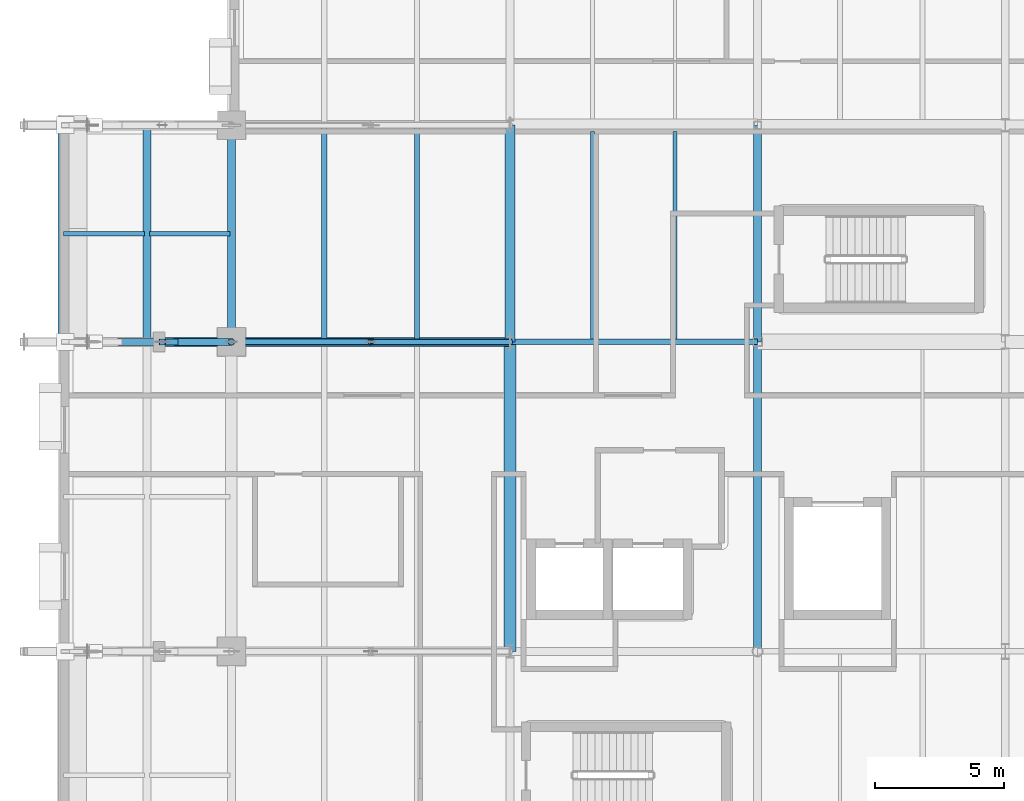
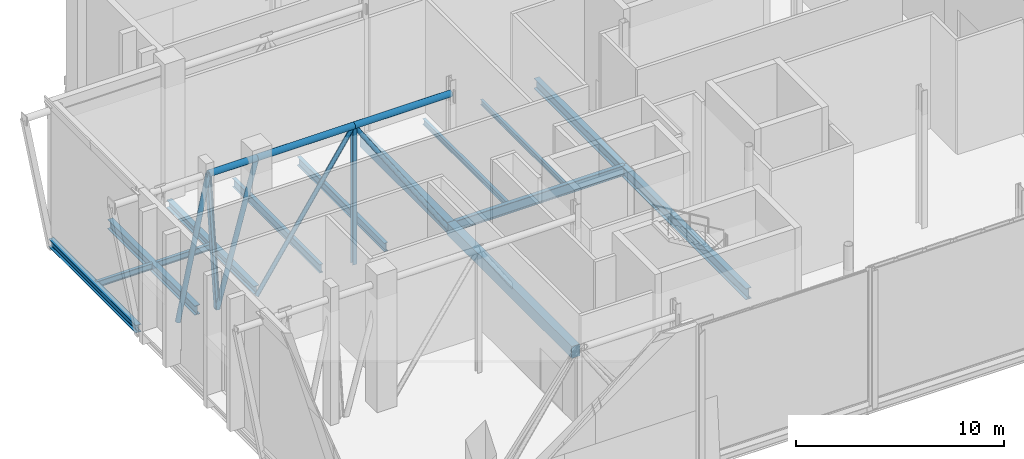
# One storey, part 20 of 79: 14 beams, 9 members.
"""IFC4 building model written with IfcOpenShell, lengths in metres."""

from ifc_helpers import new_model, si_unit, direction, frame, origin, origin_2d, place, context, subcontext, project, spatial, rectangle, hollow_circle, i_section, extrude, material, material_profile, profile_set, type_object, element, save


model = new_model("IFC4")

# Units and contexts
model_context = context("Model", 3, precision=1e-05, world=origin(), true_north=direction((0.0, 1.0)))
body_context = subcontext(model_context, "Body", "Model", "MODEL_VIEW")
ifc_project = project(units=[si_unit("LENGTHUNIT", "METRE"), si_unit("AREAUNIT", "SQUARE_METRE"), si_unit("VOLUMEUNIT", "CUBIC_METRE"), si_unit("PLANEANGLEUNIT", "RADIAN"), si_unit("MASSUNIT", "GRAM", prefix="KILO")], contexts=[model_context])

# Site, building, storey
site_placement = place(None, origin())
site = spatial("IfcSite", under=ifc_project, at=site_placement, CompositionType="ELEMENT")
building_placement = place(site_placement, origin())
building = spatial("IfcBuilding", under=site, at=building_placement, Name="Zereglee Splitstone Museum", CompositionType="ELEMENT")
storey_placement = place(building_placement, frame((0.0, 0.0, 9.0)))
storey = spatial("IfcBuildingStorey", under=building, at=storey_placement, Name="L02", CompositionType="ELEMENT", Elevation=9.0)

# Beams
ifc_material_1 = material(Name="Concrete C40/50", Category="concrete")
ifc_material_profile_1 = material_profile(ifc_material_1, rectangle(XDim=0.39990234375, YDim=0.64990234375, at=origin_2d()), Name="RC 400x650")
ifc_profile_set_1 = profile_set([ifc_material_profile_1], Name="Concrete C40/50")
beam_type_1 = type_object("IfcBeamType", Name="BG-04", PredefinedType="BEAM", material=ifc_profile_set_1)
beam_1_placement = place(storey_placement, frame((20.39990234375, 21.60009765625, -0.64501953125), z_axis=(0.0, 1.0, 0.0), x_axis=(-1.0, 0.0, 0.0)))
element("IfcBeam", 1, at=beam_1_placement, inside=storey, type_object=beam_type_1, Name="Primary Girder L02 4 (21.6-30.0)", PredefinedType="BEAM", context=body_context, shape_type="SweptSolid", body=[
    extrude(rectangle(XDim=0.39990234375, YDim=0.64990234375, at=origin_2d()), origin(), (0.0, 0.0, 1.0), 8.39990234375),
])
ifc_material_profile_2 = material_profile(ifc_material_1, rectangle(XDim=0.449951171875, YDim=0.699951171875, at=origin_2d()), Name="RC 450x700")
ifc_profile_set_2 = profile_set([ifc_material_profile_2], Name="Concrete C40/50")
beam_type_2 = type_object("IfcBeamType", Name="BG-03", PredefinedType="BEAM", material=ifc_profile_set_2)
beam_2_placement = place(storey_placement, frame((20.39990234375, 9.60009765625, -0.669921875), z_axis=(0.0, 1.0, 0.0), x_axis=(-1.0, 0.0, 0.0)))
element("IfcBeam", 2, at=beam_2_placement, inside=storey, type_object=beam_type_2, Name="Primary Girder L02 4 (9.6-21.6)", PredefinedType="BEAM", context=body_context, shape_type="SweptSolid", body=[
    extrude(rectangle(XDim=0.449951171875, YDim=0.699951171875, at=origin_2d()), origin(), (0.0, 0.0, 1.0), 12.0),
])

# Members
ifc_material_2 = material(Name="Steel S355J2H", Category="steel")
ifc_material_profile_3 = material_profile(ifc_material_2, hollow_circle(Radius=0.122314453125, WallThickness=0.012451171875, at=origin_2d()), Name="CHS 244.5x12.5")
ifc_profile_set_3 = profile_set([ifc_material_profile_3], Name="Steel S355J2H")
member_type_1 = type_object("IfcMemberType", Name="TB-02", PredefinedType="BRACE", material=ifc_profile_set_3)
for number, where, z_axis, x_axis, name in (
    (3, (9.60009765625, 21.60009765625, -0.89990234375), (0.554700196225, 0.0, 0.832050294338), (0.0, 1.0, 0.0), "Cantilever Truss CT-03 Web Brace L02-4"),
    (4, (20.39990234375, 21.60009765625, -0.89990234375), (-0.554700196225, 0.0, 0.832050294338), (0.0, -1.0, 0.0), "Cantilever Truss CT-03 Web Brace L02-5"),
):
    element("IfcMember", number, at=place(storey_placement, frame(where, z_axis=z_axis, x_axis=x_axis)), inside=storey, type_object=member_type_1, Name=name, PredefinedType="BRACE", context=body_context, shape_type="SweptSolid", body=[
        extrude(hollow_circle(Radius=0.122314453125, WallThickness=0.012451171875, at=origin_2d()), origin(), (0.0, 0.0, 1.0), 9.73486328125),
    ])
ifc_material_profile_4 = material_profile(ifc_material_2, hollow_circle(Radius=0.136474609375, WallThickness=0.012451171875, at=origin_2d()), Name="CHS 273.0x12.5")
ifc_profile_set_4 = profile_set([ifc_material_profile_4], Name="Steel S355J2H")
member_type_2 = type_object("IfcMemberType", Name="TB-01", PredefinedType="BRACE", material=ifc_profile_set_4)
member_1_placement = place(storey_placement, frame((5.2333984375, 21.60009765625, -0.89990234375), z_axis=(0.203476950416, 0.0, 0.979079736615), x_axis=(0.0, 1.0, 0.0)))
element("IfcMember", 5, at=member_1_placement, inside=storey, type_object=member_type_2, Name="Cantilever Truss CT-03 Web Brace L02-2", PredefinedType="BRACE", context=body_context, shape_type="SweptSolid", body=[
    extrude(hollow_circle(Radius=0.136474609375, WallThickness=0.012451171875, at=origin_2d()), origin(), (0.0, 0.0, 1.0), 8.27294921875),
])
member_2_placement = place(storey_placement, frame((7.416748046875, 21.60009765625, -0.89990234375), z_axis=(0.260264648301, 0.0, 0.965537318204), x_axis=(0.0, 1.0, 0.0)))
element("IfcMember", 6, at=member_2_placement, inside=storey, type_object=member_type_2, Name="Cantilever Truss CT-03 Web Brace L02-3", PredefinedType="BRACE", context=body_context, shape_type="SweptSolid", body=[
    extrude(hollow_circle(Radius=0.136474609375, WallThickness=0.012451171875, at=origin_2d()), origin(), (0.0, 0.0, 1.0), 8.388916015625),
])
ifc_material_profile_5 = material_profile(ifc_material_2, hollow_circle(Radius=0.177734375, WallThickness=0.01611328125, at=origin_2d()), Name="CHS 355.6x16")
ifc_profile_set_5 = profile_set([ifc_material_profile_5], Name="Steel S355J2H")
member_type_3 = type_object("IfcMemberType", Name="TC-04", PredefinedType="CHORD", material=ifc_profile_set_5)
member_3_placement = place(storey_placement, frame((6.916748046875, 21.60009765625, 7.199951171875), z_axis=(1.0, 0.0, 0.0), x_axis=(0.0, 1.0, 0.0)))
element("IfcMember", 7, at=member_3_placement, inside=storey, type_object=member_type_3, Name="Cantilever Truss CT-03 Top Chord L02-3", PredefinedType="CHORD", context=body_context, shape_type="SweptSolid", body=[
    extrude(hollow_circle(Radius=0.177734375, WallThickness=0.01611328125, at=origin_2d()), origin(), (0.0, 0.0, 1.0), 2.683349609375),
])
for number, where, z_axis, x_axis, name in (
    (8, (9.60009765625, 21.60009765625, 7.199951171875), (1.0, 0.0, 0.0), (0.0, 1.0, 0.0), "Cantilever Truss CT-03 Top Chord L02-4"),
    (9, (15.0, 21.60009765625, 7.199951171875), (1.0, 0.0, 0.0), (0.0, 1.0, 0.0), "Cantilever Truss CT-03 Top Chord L02-5"),
):
    element("IfcMember", number, at=place(storey_placement, frame(where, z_axis=z_axis, x_axis=x_axis)), inside=storey, type_object=member_type_3, Name=name, PredefinedType="CHORD", context=body_context, shape_type="SweptSolid", body=[
        extrude(hollow_circle(Radius=0.177734375, WallThickness=0.01611328125, at=origin_2d()), origin(), (0.0, 0.0, 1.0), 5.39990234375),
    ])

# Beams
ifc_material_3 = material(Name="Steel S355J2", Category="steel")
ifc_material_profile_6 = material_profile(ifc_material_3, i_section(OverallWidth=0.300048828125, OverallDepth=0.550048828125, WebThickness=0.014892578125, FlangeThickness=0.029052734375, FilletRadius=0.027099609375, at=origin_2d()), Name="HE 550 B")
ifc_profile_set_6 = profile_set([ifc_material_profile_6], Name="Steel S355J2")
beam_type_3 = type_object("IfcBeamType", Name="BG-11", PredefinedType="BEAM", material=ifc_profile_set_6)
beam_3_placement = place(storey_placement, frame((6.324951171875, 21.60009765625, -0.594970703125), z_axis=(0.0, 1.0, 0.0), x_axis=(-1.0, 0.0, 0.0)))
element("IfcBeam", 10, at=beam_3_placement, inside=storey, type_object=beam_type_3, Name="Cantilever Transverse Girder L02 X=6.33", PredefinedType="BEAM", context=body_context, shape_type="SweptSolid", body=[
    extrude(i_section(OverallWidth=0.300048828125, OverallDepth=0.550048828125, WebThickness=0.014892578125, FlangeThickness=0.029052734375, FilletRadius=0.027099609375, at=origin_2d()), origin(), (0.0, 0.0, 1.0), 8.39990234375),
])
ifc_material_profile_7 = material_profile(ifc_material_3, i_section(OverallWidth=0.300048828125, OverallDepth=0.60009765625, WebThickness=0.015380859375, FlangeThickness=0.030029296875, FilletRadius=0.027099609375, at=origin_2d()), Name="HE 600 B")
ifc_profile_set_7 = profile_set([ifc_material_profile_7], Name="Steel S355J2")
beam_type_4 = type_object("IfcBeamType", Name="BG-10", PredefinedType="BEAM", material=ifc_profile_set_7)
beam_4_placement = place(storey_placement, frame((30.0, 21.60009765625, -0.6201171875), z_axis=(0.0, 1.0, 0.0), x_axis=(-1.0, 0.0, 0.0)))
element("IfcBeam", 11, at=beam_4_placement, inside=storey, type_object=beam_type_4, Name="Primary Girder L02 5 (21.6-30.0)", PredefinedType="BEAM", context=body_context, shape_type="SweptSolid", body=[
    extrude(i_section(OverallWidth=0.300048828125, OverallDepth=0.60009765625, WebThickness=0.015380859375, FlangeThickness=0.030029296875, FilletRadius=0.027099609375, at=origin_2d()), origin(), (0.0, 0.0, 1.0), 8.39990234375),
])
ifc_material_profile_8 = material_profile(ifc_material_3, i_section(OverallWidth=0.300048828125, OverallDepth=0.64990234375, WebThickness=0.01611328125, FlangeThickness=0.031005859375, FilletRadius=0.027099609375, at=origin_2d()), Name="HE 650 B")
ifc_profile_set_8 = profile_set([ifc_material_profile_8], Name="Steel S355J2")
beam_type_5 = type_object("IfcBeamType", Name="BG-09", PredefinedType="BEAM", material=ifc_profile_set_8)
beam_5_placement = place(storey_placement, frame((30.0, 9.60009765625, -0.64501953125), z_axis=(0.0, 1.0, 0.0), x_axis=(-1.0, 0.0, 0.0)))
element("IfcBeam", 12, at=beam_5_placement, inside=storey, type_object=beam_type_5, Name="Primary Girder L02 5 (9.6-21.6)", PredefinedType="BEAM", context=body_context, shape_type="SweptSolid", body=[
    extrude(i_section(OverallWidth=0.300048828125, OverallDepth=0.64990234375, WebThickness=0.01611328125, FlangeThickness=0.031005859375, FilletRadius=0.027099609375, at=origin_2d()), origin(), (0.0, 0.0, 1.0), 12.0),
])
ifc_material_profile_9 = material_profile(ifc_material_3, i_section(OverallWidth=0.219970703125, OverallDepth=0.60009765625, WebThickness=0.011962890625, FlangeThickness=0.01904296875, FilletRadius=0.02392578125, at=origin_2d()), Name="IPE 600")
ifc_profile_set_9 = profile_set([ifc_material_profile_9], Name="Steel S355J2")
beam_type_6 = type_object("IfcBeamType", Name="BG-15", PredefinedType="BEAM", material=ifc_profile_set_9)
beam_6_placement = place(storey_placement, frame((20.39990234375, 21.60009765625, -0.6201171875), z_axis=(1.0, 0.0, 0.0), x_axis=(0.0, 1.0, 0.0)))
element("IfcBeam", 13, at=beam_6_placement, inside=storey, type_object=beam_type_6, Name="Primary Girder L02 C (20.4-30.0)", PredefinedType="BEAM", context=body_context, shape_type="SweptSolid", body=[
    extrude(i_section(OverallWidth=0.219970703125, OverallDepth=0.60009765625, WebThickness=0.011962890625, FlangeThickness=0.01904296875, FilletRadius=0.02392578125, at=origin_2d()), origin(), (0.0, 0.0, 1.0), 9.60009765625),
])
ifc_material_profile_10 = material_profile(ifc_material_3, i_section(OverallWidth=0.14990234375, OverallDepth=0.300048828125, WebThickness=0.007080078125, FlangeThickness=0.0107421875, FilletRadius=0.014892578125, at=origin_2d()), Name="IPE 300")
ifc_profile_set_10 = profile_set([ifc_material_profile_10], Name="Steel S355J2")
beam_type_7 = type_object("IfcBeamType", Name="BJ-06", PredefinedType="JOIST", material=ifc_profile_set_10)
beam_7_placement = place(storey_placement, frame((26.800048828125, 21.7099609375, -0.469970703125), z_axis=(0.0, 1.0, 0.0), x_axis=(-1.0, 0.0, 0.0)))
element("IfcBeam", 14, at=beam_7_placement, inside=storey, type_object=beam_type_7, Name="Secondary Floor Joist L02-1076", PredefinedType="JOIST", context=body_context, shape_type="SweptSolid", body=[
    extrude(i_section(OverallWidth=0.14990234375, OverallDepth=0.300048828125, WebThickness=0.007080078125, FlangeThickness=0.0107421875, FilletRadius=0.014892578125, at=origin_2d()), origin(), (0.0, 0.0, 1.0), 8.0400390625),
])
ifc_material_profile_11 = material_profile(ifc_material_3, i_section(OverallWidth=0.159912109375, OverallDepth=0.330078125, WebThickness=0.007568359375, FlangeThickness=0.011474609375, FilletRadius=0.01806640625, at=origin_2d()), Name="IPE 330")
ifc_profile_set_11 = profile_set([ifc_material_profile_11], Name="Steel S355J2")
beam_type_8 = type_object("IfcBeamType", Name="BJ-05", PredefinedType="JOIST", material=ifc_profile_set_11)
beam_8_placement = place(storey_placement, frame((23.60009765625, 21.7099609375, -0.485107421875), z_axis=(0.0, 1.0, 0.0), x_axis=(-1.0, 0.0, 0.0)))
element("IfcBeam", 15, at=beam_8_placement, inside=storey, type_object=beam_type_8, Name="Secondary Floor Joist L02-1075", PredefinedType="JOIST", context=body_context, shape_type="SweptSolid", body=[
    extrude(i_section(OverallWidth=0.159912109375, OverallDepth=0.330078125, WebThickness=0.007568359375, FlangeThickness=0.011474609375, FilletRadius=0.01806640625, at=origin_2d()), origin(), (0.0, 0.0, 1.0), 8.0400390625),
])
ifc_material_profile_12 = material_profile(ifc_material_3, i_section(OverallWidth=0.169921875, OverallDepth=0.360107421875, WebThickness=0.008056640625, FlangeThickness=0.0126953125, FilletRadius=0.01806640625, at=origin_2d()), Name="IPE 360")
ifc_profile_set_12 = profile_set([ifc_material_profile_12], Name="Steel S355J2")
beam_type_9 = type_object("IfcBeamType", Name="BJ-04", PredefinedType="JOIST", material=ifc_profile_set_12)
beam_9_placement = place(storey_placement, frame((3.090087890625, 25.800048828125, -0.5), z_axis=(1.0, 0.0, 0.0), x_axis=(0.0, 1.0, 0.0)))
element("IfcBeam", 16, at=beam_9_placement, inside=storey, type_object=beam_type_9, Name="Cantilever Floor Joist L02-1616", PredefinedType="JOIST", context=body_context, shape_type="SweptSolid", body=[
    extrude(i_section(OverallWidth=0.169921875, OverallDepth=0.360107421875, WebThickness=0.008056640625, FlangeThickness=0.0126953125, FilletRadius=0.01806640625, at=origin_2d()), origin(), (0.0, 0.0, 1.0), 3.135009765625),
])
beam_10_placement = place(storey_placement, frame((6.425048828125, 25.800048828125, -0.5), z_axis=(1.0, 0.0, 0.0), x_axis=(0.0, 1.0, 0.0)))
element("IfcBeam", 17, at=beam_10_placement, inside=storey, type_object=beam_type_9, Name="Cantilever Floor Joist L02-1617", PredefinedType="JOIST", context=body_context, shape_type="SweptSolid", body=[
    extrude(i_section(OverallWidth=0.169921875, OverallDepth=0.360107421875, WebThickness=0.008056640625, FlangeThickness=0.0126953125, FilletRadius=0.01806640625, at=origin_2d()), origin(), (0.0, 0.0, 1.0), 3.125),
])
ifc_material_profile_13 = material_profile(ifc_material_3, i_section(OverallWidth=0.199951171875, OverallDepth=0.5, WebThickness=0.01025390625, FlangeThickness=0.01611328125, FilletRadius=0.02099609375, at=origin_2d()), Name="IPE 500")
ifc_profile_set_13 = profile_set([ifc_material_profile_13], Name="Steel S355J2")
beam_type_10 = type_object("IfcBeamType", Name="BJ-01", PredefinedType="JOIST", material=ifc_profile_set_13)
for number, where, z_axis, x_axis, name in (
    (18, (13.199951171875, 21.60009765625, -0.570068359375), (0.0, 1.0, 0.0), (-1.0, 0.0, 0.0), "Secondary Floor Joist L02-1073"),
    (19, (16.800048828125, 21.60009765625, -0.570068359375), (0.0, 1.0, 0.0), (-1.0, 0.0, 0.0), "Secondary Floor Joist L02-1074"),
):
    element("IfcBeam", number, at=place(storey_placement, frame(where, z_axis=z_axis, x_axis=x_axis)), inside=storey, type_object=beam_type_10, Name=name, PredefinedType="JOIST", context=body_context, shape_type="SweptSolid", body=[
        extrude(i_section(OverallWidth=0.199951171875, OverallDepth=0.5, WebThickness=0.01025390625, FlangeThickness=0.01611328125, FilletRadius=0.02099609375, at=origin_2d()), origin(), (0.0, 0.0, 1.0), 8.39990234375),
    ])

# Members
ifc_material_profile_14 = material_profile(ifc_material_3, i_section(OverallWidth=0.239990234375, OverallDepth=0.239990234375, WebThickness=0.010009765625, FlangeThickness=0.01708984375, FilletRadius=0.02099609375, at=origin_2d()), Name="HE 240 B")
ifc_profile_set_14 = profile_set([ifc_material_profile_14], Name="Steel S355J2")
member_type_4 = type_object("IfcMemberType", Name="TP-02", PredefinedType="POST", material=ifc_profile_set_14)
member_4_placement = place(storey_placement, frame((7.416748046875, 21.60009765625, -0.89990234375), z_axis=(-0.061612235308, 0.0, 0.998100161537), x_axis=(0.0, -1.0, 0.0)))
element("IfcMember", 20, at=member_4_placement, inside=storey, type_object=member_type_4, Name="Cantilever Truss CT-03 Post L02-3", PredefinedType="POST", context=body_context, shape_type="SweptSolid", body=[
    extrude(i_section(OverallWidth=0.239990234375, OverallDepth=0.239990234375, WebThickness=0.010009765625, FlangeThickness=0.01708984375, FilletRadius=0.02099609375, at=origin_2d()), origin(), (0.0, 0.0, 1.0), 8.115234375),
])
member_5_placement = place(storey_placement, frame((15.0, 21.60009765625, -0.89990234375), z_axis=(0.0, 0.0, 1.0), x_axis=(1.0, 0.0, 0.0)))
element("IfcMember", 21, at=member_5_placement, inside=storey, type_object=member_type_4, Name="Cantilever Truss CT-03 Post L02-4", PredefinedType="POST", context=body_context, shape_type="SweptSolid", body=[
    extrude(i_section(OverallWidth=0.239990234375, OverallDepth=0.239990234375, WebThickness=0.010009765625, FlangeThickness=0.01708984375, FilletRadius=0.02099609375, at=origin_2d()), origin(), (0.0, 0.0, 1.0), 8.099853515625),
])

# Beams
ifc_material_profile_15 = material_profile(ifc_material_3, i_section(OverallWidth=0.300048828125, OverallDepth=0.449951171875, WebThickness=0.013916015625, FlangeThickness=0.02587890625, FilletRadius=0.027099609375, at=origin_2d()), Name="HE 450 B")
ifc_profile_set_15 = profile_set([ifc_material_profile_15], Name="Steel S355J2")
beam_type_11 = type_object("IfcBeamType", Name="SP-02", PredefinedType="SPANDREL", material=ifc_profile_set_15)
for number, where, z_axis, x_axis, name in (
    (22, (9.60009765625, 21.60009765625, -0.544921875), (0.0, 1.0, 0.0), (-1.0, 0.0, 0.0), "Primary Girder L02 2 (21.6-30.0)"),
    (23, (3.050048828125, 21.60009765625, -0.544921875), (0.0, 1.0, 0.0), (-1.0, 0.0, 0.0), "Cantilever Transverse Girder L02 X=3.05"),
):
    element("IfcBeam", number, at=place(storey_placement, frame(where, z_axis=z_axis, x_axis=x_axis)), inside=storey, type_object=beam_type_11, Name=name, PredefinedType="SPANDREL", context=body_context, shape_type="SweptSolid", body=[
        extrude(i_section(OverallWidth=0.300048828125, OverallDepth=0.449951171875, WebThickness=0.013916015625, FlangeThickness=0.02587890625, FilletRadius=0.027099609375, at=origin_2d()), origin(), (0.0, 0.0, 1.0), 8.39990234375),
    ])

save(model, "model.ifc")
